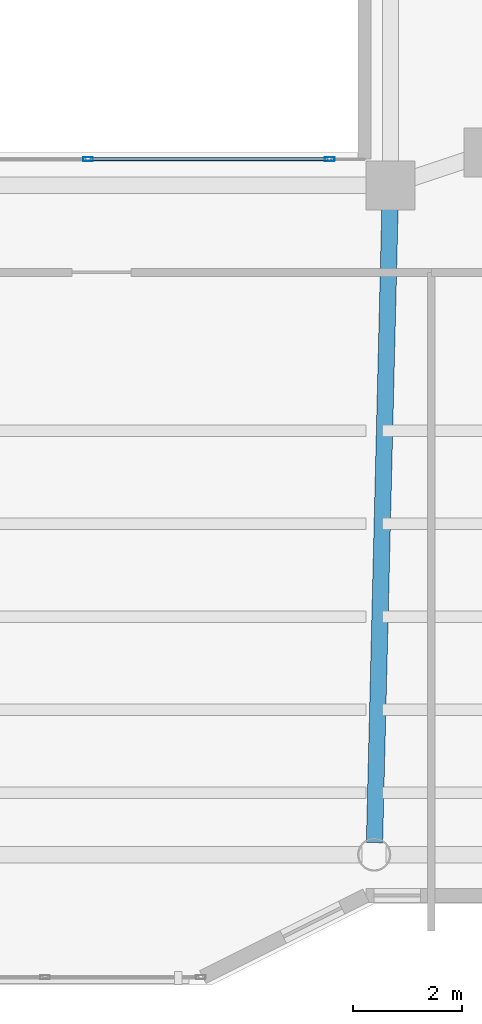
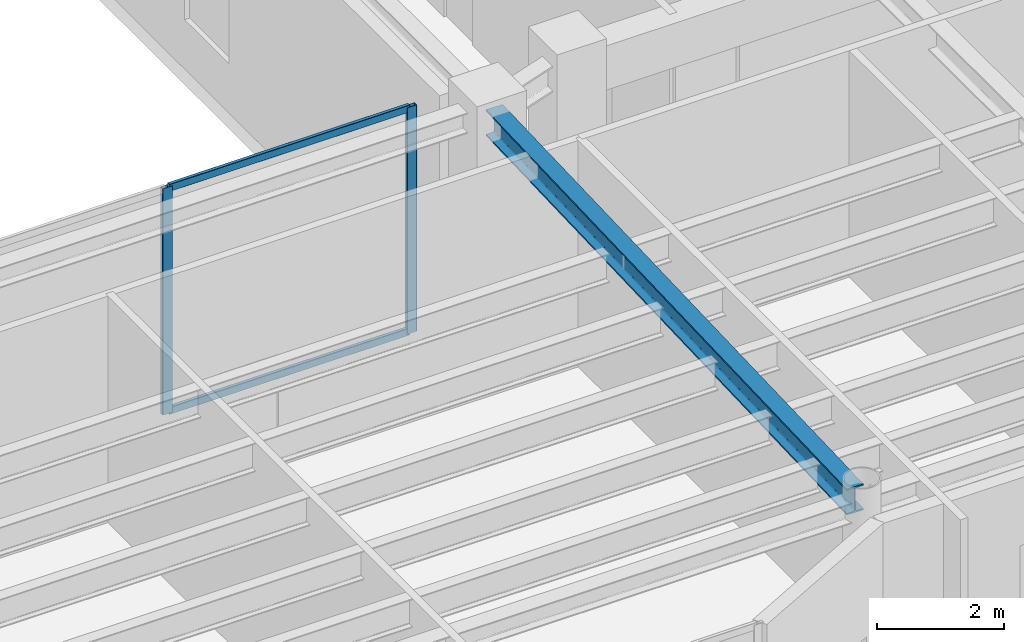
# One storey, part 7 of 34: 4 members, 1 beam, 1 element without a shape of its own.
"""IFC4 building model written with IfcOpenShell, lengths in metres."""

from ifc_helpers import new_model, si_unit, direction, frame, origin, origin_2d, place, context, subcontext, project, spatial, hollow_rectangle, i_section, extrude, material, layer, layer_set, material_profile, profile_set, type_object, element, aggregate, save


model = new_model("IFC4")

# Units and contexts
model_context = context("Model", 3, precision=1e-05, world=origin(), true_north=direction((0.0, 1.0)))
body_context = subcontext(model_context, "Body", "Model", "MODEL_VIEW")
ifc_project = project(units=[si_unit("LENGTHUNIT", "METRE"), si_unit("AREAUNIT", "SQUARE_METRE"), si_unit("VOLUMEUNIT", "CUBIC_METRE"), si_unit("PLANEANGLEUNIT", "RADIAN"), si_unit("MASSUNIT", "GRAM", prefix="KILO")], contexts=[model_context])

# Site, building, storey
site_placement = place(None, origin())
site = spatial("IfcSite", under=ifc_project, at=site_placement, CompositionType="ELEMENT")
building_placement = place(site_placement, origin())
building = spatial("IfcBuilding", under=site, at=building_placement, Name="Tarnavaz Court Tower", CompositionType="ELEMENT")
storey_placement = place(building_placement, frame((0.0, 0.0, 231.75)))
storey = spatial("IfcBuildingStorey", under=building, at=storey_placement, Name="L63", CompositionType="ELEMENT", Elevation=231.75)

# Beam
ifc_material_1 = material(Name="Steel S355", Category="steel")
ifc_material_profile_1 = material_profile(ifc_material_1, i_section(OverallWidth=0.300048828125, OverallDepth=0.5, WebThickness=0.014404296875, FlangeThickness=0.028076171875, FilletRadius=0.027099609375, at=origin_2d()), Name="HEB 500")
ifc_profile_set_1 = profile_set([ifc_material_profile_1], Name="Steel S355")
beam_type = type_object("IfcBeamType", Name="BM-G-HEB500", PredefinedType="USERDEFINED", material=ifc_profile_set_1)
beam_placement = place(storey_placement, frame((7.794677734375, -8.02001953125, 4.10009765625), z_axis=(-0.024386002211, -0.99970261723, 0.0), x_axis=(0.99970261723, -0.024386002211, 0.0)))
element("IfcBeam", 1, at=beam_placement, inside=storey, type_object=beam_type, Name="L63 Beam RG-07", ObjectType="GIRDER", PredefinedType="USERDEFINED", context=body_context, shape_type="SweptSolid", body=[
    extrude(i_section(OverallWidth=0.300048828125, OverallDepth=0.5, WebThickness=0.014404296875, FlangeThickness=0.028076171875, FilletRadius=0.027099609375, at=origin_2d()), origin(), (0.0, 0.0, 1.0), 11.863525390625),
])

# Curtain wall, members
ifc_material_2 = material(Name="Anodised Aluminium 6063-T6 and Solar Low-E Glazing", Category="aluminium")
ifc_layer = layer(ifc_material_2, 0.139892578125)
ifc_layer_set = layer_set([ifc_layer], Name="Anodised Aluminium 6063-T6 and Solar Low-E Glazing")
curtain_wall_type = type_object("IfcCurtainWallType", Name="CW-SYS-04", PredefinedType="NOTDEFINED", material=ifc_layer_set)
curtain_wall_placement = place(storey_placement, origin())
curtain_wall = element("IfcCurtainWall", 2, at=curtain_wall_placement, inside=storey, type_object=curtain_wall_type, Name="L63 Badgir Courtyard Curtain Wall S", PredefinedType="NOTDEFINED")
ifc_material_3 = material(Name="Anodised Aluminium 6063-T6", Category="aluminium")
ifc_material_profile_2 = material_profile(ifc_material_3, hollow_rectangle(XDim=0.074951171875, YDim=0.179931640625, WallThickness=0.0048828125, InnerFilletRadius=0.0048828125, OuterFilletRadius=0.010009765625, at=origin_2d()), Name="ALU RHS 180X75X5")
ifc_profile_set_2 = profile_set([ifc_material_profile_2], Name="Anodised Aluminium 6063-T6")
member_type_1 = type_object("IfcMemberType", Name="CW-MUL-180", PredefinedType="MULLION", material=ifc_profile_set_2)
member_1_placement = place(storey_placement, frame((2.239990234375, -7.320068359375, 0.0), z_axis=(0.0, 0.0, 1.0), x_axis=(0.0, 1.0, 0.0)))
member_1 = element("IfcMember", 3, at=member_1_placement, type_object=member_type_1, Name="CW mullion 3", PredefinedType="MULLION", context=body_context, shape_type="SweptSolid", body=[
    extrude(hollow_rectangle(XDim=0.074951171875, YDim=0.179931640625, WallThickness=0.0048828125, InnerFilletRadius=0.0048828125, OuterFilletRadius=0.010009765625, at=origin_2d()), origin(), (0.0, 0.0, 1.0), 4.35009765625),
])
member_2_placement = place(storey_placement, frame((6.6826171875, -7.320068359375, 0.0), z_axis=(0.0, 0.0, 1.0), x_axis=(0.0, 1.0, 0.0)))
member_2 = element("IfcMember", 4, at=member_2_placement, type_object=member_type_1, Name="CW mullion 4", PredefinedType="MULLION", context=body_context, shape_type="SweptSolid", body=[
    extrude(hollow_rectangle(XDim=0.074951171875, YDim=0.179931640625, WallThickness=0.0048828125, InnerFilletRadius=0.0048828125, OuterFilletRadius=0.010009765625, at=origin_2d()), origin(), (0.0, 0.0, 1.0), 4.35009765625),
])
ifc_material_profile_3 = material_profile(ifc_material_3, hollow_rectangle(XDim=0.06494140625, YDim=0.139892578125, WallThickness=0.00390625, InnerFilletRadius=0.00390625, OuterFilletRadius=0.008056640625, at=origin_2d()), Name="ALU RHS 140X65X4")
ifc_profile_set_3 = profile_set([ifc_material_profile_3], Name="Anodised Aluminium 6063-T6")
member_type_2 = type_object("IfcMemberType", Name="CW-TRN-140", PredefinedType="USERDEFINED", material=ifc_profile_set_3)
member_3_placement = place(storey_placement, frame((2.277587890625, -7.320068359375, 0.032470703125), z_axis=(1.0, 0.0, 0.0), x_axis=(0.0, 1.0, 0.0)))
member_3 = element("IfcMember", 5, at=member_3_placement, type_object=member_type_2, Name="CW transom 3.1", ObjectType="TRANSOM", PredefinedType="USERDEFINED", context=body_context, shape_type="SweptSolid", body=[
    extrude(hollow_rectangle(XDim=0.06494140625, YDim=0.139892578125, WallThickness=0.00390625, InnerFilletRadius=0.00390625, OuterFilletRadius=0.008056640625, at=origin_2d()), origin(), (0.0, 0.0, 1.0), 4.367431640625),
])
member_4_placement = place(storey_placement, frame((2.277587890625, -7.320068359375, 4.3173828125), z_axis=(1.0, 0.0, 0.0), x_axis=(0.0, 1.0, 0.0)))
member_4 = element("IfcMember", 6, at=member_4_placement, type_object=member_type_2, Name="CW transom 3.2", ObjectType="TRANSOM", PredefinedType="USERDEFINED", context=body_context, shape_type="SweptSolid", body=[
    extrude(hollow_rectangle(XDim=0.06494140625, YDim=0.139892578125, WallThickness=0.00390625, InnerFilletRadius=0.00390625, OuterFilletRadius=0.008056640625, at=origin_2d()), origin(), (0.0, 0.0, 1.0), 4.367431640625),
])
aggregate(curtain_wall, [member_1, member_2, member_3, member_4])

save(model, "model.ifc")
